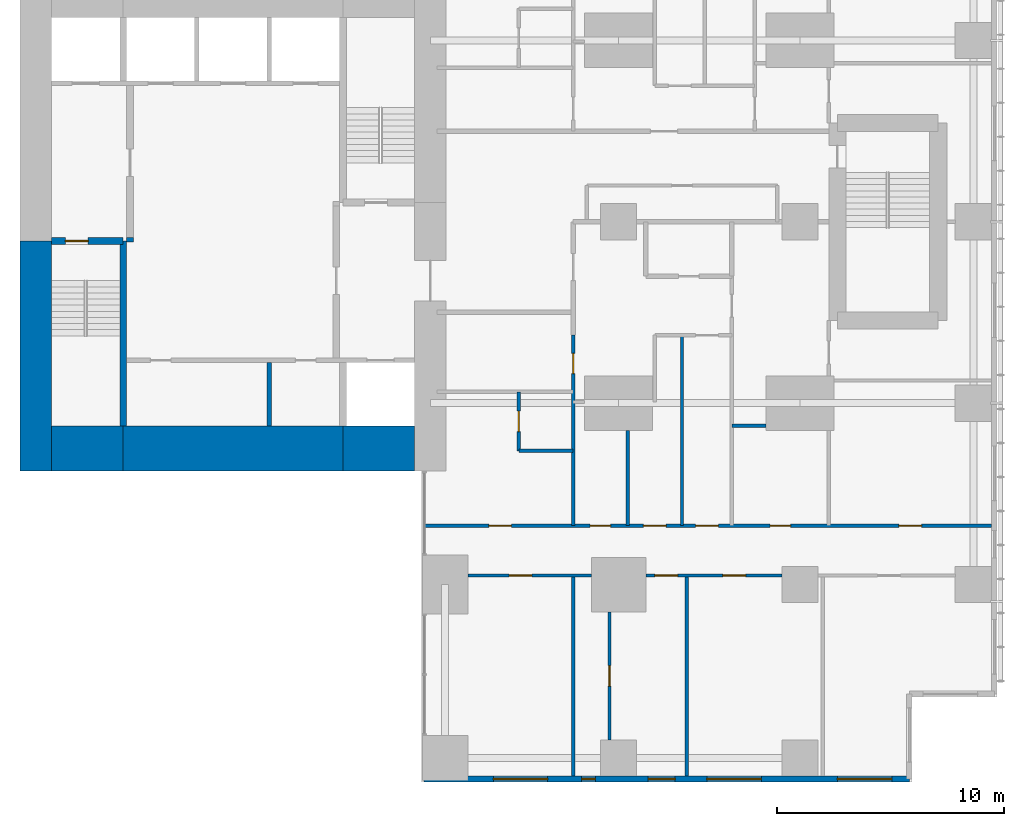
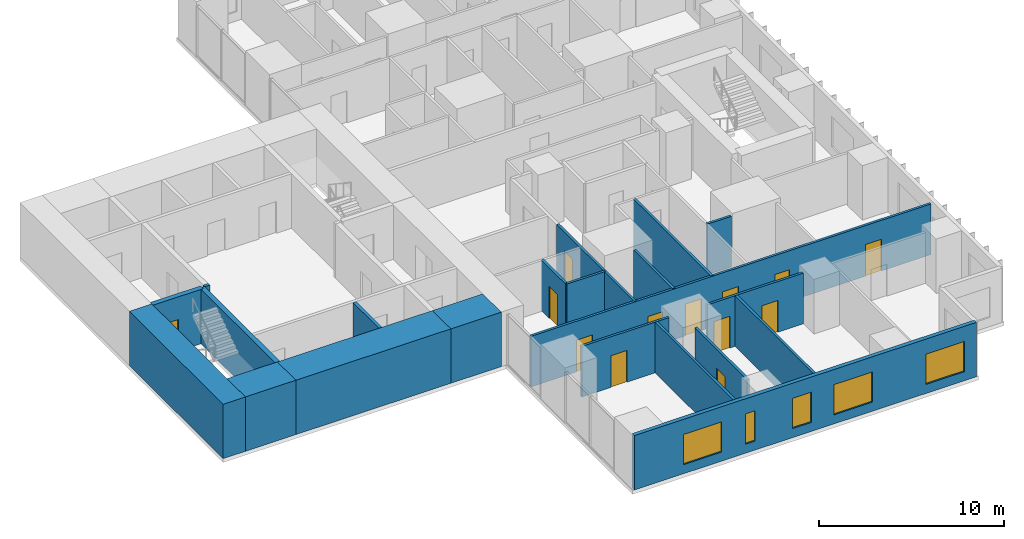
# One storey, part 7 of 12: 21 walls, 13 doors, 5 windows, 18 openings.
"""IFC4 building model written with IfcOpenShell, lengths in metres."""

import ifcopenshell
import ifcopenshell.guid

model = None  # the IFC model being written
_history = None  # IfcOwnerHistory: only IFC2X3 demands one
_inside = {}  # id of a spatial element -> (the spatial element, [elements in it])
_under = {}  # id of a project, library or spatial element -> (it, [spatial elements below it])
_declared = {}  # id of a project -> (the project, [libraries it declares])
_typed = {}  # id of a type object -> (the type object, [elements of that type])
_made_of = {}  # id of a material, layer set ... -> (it, [elements and type objects made of it])


def new_model(schema):
    """Start an empty IFC model of exactly this schema.

    Asked for "IFC4X3", IfcOpenShell would pick the latest addendum, in which some entities
    have other attributes; the version numbers below select the first issue.
    IFC2X3 requires an IfcOwnerHistory on every rooted entity: one is made here for all.
    """
    global model, _history
    if schema == "IFC4X3":
        model = ifcopenshell.file(schema_version=(4, 3, 0, 0))
    else:
        model = ifcopenshell.file(schema=schema)
    _inside.clear()
    _under.clear()
    _declared.clear()
    _typed.clear()
    _made_of.clear()
    _history = None
    if model.schema == "IFC2X3":
        org = make("IfcOrganization", Name="unknown")
        user = make(
            "IfcPersonAndOrganization",
            ThePerson=make("IfcPerson", FamilyName="unknown"),
            TheOrganization=org,
        )
        app = make(
            "IfcApplication",
            ApplicationDeveloper=org,
            Version="unknown",
            ApplicationFullName="unknown",
            ApplicationIdentifier="unknown",
        )
        _history = make(
            "IfcOwnerHistory",
            OwningUser=user,
            OwningApplication=app,
            ChangeAction="ADDED",
            CreationDate=0,
        )
    return model


def make(cls, **values):
    """One entity of the class cls with the attributes given. An attribute that is None is left unset."""
    return model.create_entity(
        cls, **{name: value for name, value in values.items() if value is not None}
    )


def rooted(cls, **values):
    """An entity with a GlobalId (a new one), such as an element, a storey or a relation."""
    return make(cls, GlobalId=ifcopenshell.guid.new(), OwnerHistory=_history, **values)


def si_unit(unit_type, name, prefix=None):
    """IfcSIUnit, for example si_unit("LENGTHUNIT", "METRE", prefix="MILLI")."""
    return make("IfcSIUnit", UnitType=unit_type, Prefix=prefix, Name=name)


def assignment(units):
    """IfcUnitAssignment: the units of a project."""
    return None if units is None else make("IfcUnitAssignment", Units=units)


def point(xyz):
    """IfcCartesianPoint."""
    return None if xyz is None else make("IfcCartesianPoint", Coordinates=xyz)


def direction(xyz):
    """IfcDirection."""
    return None if xyz is None else make("IfcDirection", DirectionRatios=xyz)


def frame(location, z_axis=None, x_axis=None):
    """IfcAxis2Placement3D, a coordinate frame: its origin and axes. An axis left out is left unset."""
    return make(
        "IfcAxis2Placement3D",
        Location=point(location),
        Axis=direction(z_axis),
        RefDirection=direction(x_axis),
    )


def frame_2d(location, x_axis=None):
    """IfcAxis2Placement2D, a coordinate frame in the plane: its origin and x axis."""
    return make(
        "IfcAxis2Placement2D", Location=point(location), RefDirection=direction(x_axis)
    )


def origin():
    """The frame at (0, 0, 0) with its axes left unset."""
    return frame((0.0, 0.0, 0.0))


def place(relative_to, where):
    """IfcLocalPlacement: puts the frame where relative to a parent placement (None: the world)."""
    return make(
        "IfcLocalPlacement", PlacementRelTo=relative_to, RelativePlacement=where
    )


def context(
    kind, dimensions, precision=None, world=None, true_north=None, identifier=None
):
    """IfcGeometricRepresentationContext, for example the 3D "Model" context."""
    return make(
        "IfcGeometricRepresentationContext",
        ContextIdentifier=identifier,
        ContextType=kind,
        CoordinateSpaceDimension=dimensions,
        Precision=precision,
        WorldCoordinateSystem=world,
        TrueNorth=true_north,
    )


def subcontext(parent, identifier, kind, view, scale=None):
    """IfcGeometricRepresentationSubContext, for example "Body" below "Model"."""
    return make(
        "IfcGeometricRepresentationSubContext",
        ContextIdentifier=identifier,
        ContextType=kind,
        ParentContext=parent,
        TargetScale=scale,
        TargetView=view,
    )


def project(units=None, contexts=None):
    """IfcProject with its units and contexts."""
    return rooted(
        "IfcProject",
        Name="project",
        RepresentationContexts=contexts,
        UnitsInContext=assignment(units),
    )


def spatial(cls, under=None, at=None, **own):
    """A site, building, storey or space (cls), placed at a placement, below another one or the project."""
    s = rooted(cls, ObjectPlacement=at, **own)
    if under is not None:
        _under.setdefault(under.id(), (under, []))[1].append(s)
    return s


def profile(cls, at=None, kind="AREA", **sizes):
    """A parametric profile (cls). Its sizes go by their IFC names, for example OverallWidth=200.0."""
    return make(cls, ProfileType=kind, Position=at, **sizes)


def rectangle(**sizes):
    """IfcRectangleProfileDef."""
    return profile("IfcRectangleProfileDef", **sizes)


def extrude(swept, where, along, depth):
    """IfcExtrudedAreaSolid: the profile swept, set in the frame where, extruded along a direction by depth."""
    return make(
        "IfcExtrudedAreaSolid",
        SweptArea=swept,
        Position=where,
        ExtrudedDirection=direction(along),
        Depth=depth,
    )


def shape(context_of_items, identifier, shape_type, items):
    """IfcShapeRepresentation: the items that make up one representation, for example the "Body"."""
    return make(
        "IfcShapeRepresentation",
        ContextOfItems=context_of_items,
        RepresentationIdentifier=identifier,
        RepresentationType=shape_type,
        Items=items,
    )


def material(Name=None, Category=None):
    """IfcMaterial."""
    return make("IfcMaterial", Name=Name, Category=Category)


def layer(
    of_material, thickness, ventilated=None, Name=None, Category=None, Priority=None
):
    """IfcMaterialLayer: one layer of a wall or slab, of a material (None: an air gap)."""
    return make(
        "IfcMaterialLayer",
        Material=of_material,
        LayerThickness=thickness,
        IsVentilated=ventilated,
        Name=Name,
        Category=Category,
        Priority=Priority,
    )


def layer_set(layers, Name=None):
    """IfcMaterialLayerSet."""
    return make("IfcMaterialLayerSet", MaterialLayers=layers, LayerSetName=Name)


def made_of(thing, what):
    """Note that an element or type object is made of a material, layer set ...; save() writes the relation."""
    if what is not None:
        _made_of.setdefault(what.id(), (what, []))[1].append(thing)
    return thing


def type_object(cls, material=None, **own):
    """A type object (cls), such as IfcWallType, which elements share."""
    return made_of(rooted(cls, **own), material)


def element(
    cls,
    number,
    at=None,
    inside=None,
    cuts=None,
    type_object=None,
    material=None,
    context=None,
    identifier="Body",
    shape_type=None,
    held_by="IfcProductDefinitionShape",
    body=None,
    shapes=None,
    **own,
):
    """One element of the class cls, such as IfcWall. Its Tag is "e" and its number.

    at: its placement. inside: the storey or other place that contains it. cuts: it is an
    opening in that element (IfcRelVoidsElement). A single representation is given by context,
    identifier, shape_type and body (its items); several are given by shapes. held_by: the class
    of the entity that holds the representations. save() writes the other relations.
    """
    e = rooted(cls, Tag="e%d" % number, ObjectPlacement=at, **own)
    if body is not None:
        shapes = [shape(context, identifier, shape_type, body)]
    if shapes is not None:
        e.Representation = make(held_by, Representations=shapes)
    if inside is not None:
        _inside.setdefault(inside.id(), (inside, []))[1].append(e)
    if cuts is not None:
        rooted(
            "IfcRelVoidsElement", RelatingBuildingElement=cuts, RelatedOpeningElement=e
        )
    if type_object is not None:
        _typed.setdefault(type_object.id(), (type_object, []))[1].append(e)
    return made_of(e, material)


def fill(opening, filler):
    """IfcRelFillsElement: the door or window that sits in an opening."""
    return rooted(
        "IfcRelFillsElement",
        RelatingOpeningElement=opening,
        RelatedBuildingElement=filler,
    )


def aggregate(whole, parts):
    """IfcRelAggregates: a whole, such as a stair, and the parts it consists of."""
    return rooted("IfcRelAggregates", RelatingObject=whole, RelatedObjects=parts)


def save(model, path):
    """Write the relations noted so far, then the file.

    IfcRelAggregates (storeys below a building ...), IfcRelContainedInSpatialStructure (elements
    in a storey), IfcRelDefinesByType, IfcRelAssociatesMaterial and IfcRelDeclares: one each for
    every whole, place, type object, material and project.
    """
    for whole, parts in _under.values():
        aggregate(whole, parts)
    for where, things in _inside.values():
        rooted(
            "IfcRelContainedInSpatialStructure",
            RelatedElements=things,
            RelatingStructure=where,
        )
    for kind, things in _typed.values():
        rooted("IfcRelDefinesByType", RelatedObjects=things, RelatingType=kind)
    for what, things in _made_of.values():
        rooted("IfcRelAssociatesMaterial", RelatedObjects=things, RelatingMaterial=what)
    for by, libraries in _declared.values():
        rooted("IfcRelDeclares", RelatingContext=by, RelatedDefinitions=libraries)
    model.write(path)


model = new_model("IFC4")

# Units and contexts
model_context = context("Model", 3, precision=1e-05, world=origin(), true_north=direction((0.0, 1.0)))
body_context = subcontext(model_context, "Body", "Model", "MODEL_VIEW")
ifc_project = project(units=[si_unit("LENGTHUNIT", "METRE"), si_unit("AREAUNIT", "SQUARE_METRE"), si_unit("VOLUMEUNIT", "CUBIC_METRE"), si_unit("PLANEANGLEUNIT", "RADIAN"), si_unit("MASSUNIT", "GRAM", prefix="KILO")], contexts=[model_context])

# Site, building, storey
site_placement = place(None, origin())
site = spatial("IfcSite", under=ifc_project, at=site_placement, CompositionType="ELEMENT")
building_placement = place(site_placement, origin())
building = spatial("IfcBuilding", under=site, at=building_placement, Name="Cleftline Residences", CompositionType="ELEMENT")
storey_placement = place(building_placement, frame((0.0, 0.0, 241.199951171875)))
storey = spatial("IfcBuildingStorey", under=building, at=storey_placement, Name="L63", CompositionType="ELEMENT", Elevation=241.199951171875)

# Walls
ifc_material_1 = material(Name="Concrete B70", Category="concrete")
ifc_layer_1 = layer(ifc_material_1, 1.39990234375)
ifc_layer_set_1 = layer_set([ifc_layer_1], Name="CORE WALL 1400")
wall_type_1 = type_object("IfcWallType", Name="CORE WALL 1400", PredefinedType="SHEAR", material=ifc_layer_set_1)
wall_1_placement = place(storey_placement, frame((24.300048828125, 13.0, 0.0), z_axis=(0.0, 0.0, 1.0), x_axis=(0.0, 1.0, 0.0)))
element("IfcWall", 1, at=wall_1_placement, inside=storey, type_object=wall_type_1, Name="Core wall W0", PredefinedType="SHEAR", context=body_context, shape_type="SweptSolid", body=[
    extrude(rectangle(XDim=10.14990234375, YDim=1.39990234375, at=frame_2d((5.074951171875, 0.0))), origin(), (0.0, 0.0, 1.0), 3.60009765625),
])
ifc_material_2 = material(Name="Concrete B70", Category="concrete")
ifc_layer_2 = layer(ifc_material_2, 2.0)
ifc_layer_set_2 = layer_set([ifc_layer_2], Name="CORE WALL 2000")
wall_type_2 = type_object("IfcWallType", Name="CORE WALL 2000", PredefinedType="SHEAR", material=ifc_layer_set_2)
wall_2_placement = place(storey_placement, frame((25.0, 14.0, 0.0), z_axis=(0.0, 0.0, 1.0), x_axis=(1.0, 0.0, 0.0)))
element("IfcWall", 2, at=wall_2_placement, inside=storey, type_object=wall_type_2, Name="Core wall S1", PredefinedType="SHEAR", context=body_context, shape_type="SweptSolid", body=[
    extrude(rectangle(XDim=3.14990234375, YDim=2.0, at=frame_2d((1.574951171875, 0.0))), origin(), (0.0, 0.0, 1.0), 3.60009765625),
])
wall_3_placement = place(storey_placement, frame((28.14990234375, 14.0, 0.0), z_axis=(0.0, 0.0, 1.0), x_axis=(1.0, 0.0, 0.0)))
element("IfcWall", 3, at=wall_3_placement, inside=storey, type_object=wall_type_2, Name="Core wall S2", PredefinedType="SHEAR", context=body_context, shape_type="SweptSolid", body=[
    extrude(rectangle(XDim=9.7001953125, YDim=2.0, at=frame_2d((4.85009765625, 0.0))), origin(), (0.0, 0.0, 1.0), 3.60009765625),
])
wall_4_placement = place(storey_placement, frame((37.85009765625, 14.0, 0.0), z_axis=(0.0, 0.0, 1.0), x_axis=(1.0, 0.0, 0.0)))
element("IfcWall", 4, at=wall_4_placement, inside=storey, type_object=wall_type_2, Name="Core wall S3", PredefinedType="SHEAR", context=body_context, shape_type="SweptSolid", body=[
    extrude(rectangle(XDim=3.14990234375, YDim=2.0, at=frame_2d((1.574951171875, 0.0))), origin(), (0.0, 0.0, 1.0), 3.60009765625),
])
ifc_material_3 = material(Name="Concrete B70", Category="concrete")
ifc_layer_3 = layer(ifc_material_3, 0.300048828125)
ifc_layer_set_3 = layer_set([ifc_layer_3], Name="CORE WALL 300")
wall_type_3 = type_object("IfcWallType", Name="CORE WALL 300", PredefinedType="SHEAR", material=ifc_layer_set_3)
wall_5_placement = place(storey_placement, frame((28.14990234375, 15.0, 0.0), z_axis=(0.0, 0.0, 1.0), x_axis=(0.0, 1.0, 0.0)))
element("IfcWall", 5, at=wall_5_placement, inside=storey, type_object=wall_type_3, Name="Core wall SA-E", PredefinedType="SHEAR", context=body_context, shape_type="SweptSolid", body=[
    extrude(rectangle(XDim=8.14990234375, YDim=0.300048828125, at=frame_2d((4.074951171875, 0.0))), origin(), (0.0, 0.0, 1.0), 3.60009765625),
])

# Wall, opening, door
wall_6_placement = place(storey_placement, frame((25.0, 23.14990234375, 0.0), z_axis=(0.0, 0.0, 1.0), x_axis=(1.0, 0.0, 0.0)))
wall_6 = element("IfcWall", 6, at=wall_6_placement, inside=storey, type_object=wall_type_3, Name="Core wall SA-N", PredefinedType="SHEAR", context=body_context, shape_type="SweptSolid", body=[
    extrude(rectangle(XDim=3.14990234375, YDim=0.300048828125, at=frame_2d((1.574951171875, 0.0))), origin(), (0.0, 0.0, 1.0), 3.60009765625),
])
opening_1_placement = place(wall_6_placement, frame((0.60009765625, 0.0, 0.0)))
opening_1 = element("IfcOpeningElement", 7, at=opening_1_placement, cuts=wall_6, Name="Opening D5", PredefinedType="OPENING", context=body_context, shape_type="SweptSolid", body=[
    extrude(rectangle(XDim=1.0, YDim=2.10009765625, at=frame_2d((0.5, 1.050048828125))), frame((0.0, 0.159912109375, 0.0), z_axis=(0.0, -1.0, 0.0), x_axis=(1.0, 0.0, 0.0)), (0.0, 0.0, 1.0), 0.320068359375),
])
ifc_material_4 = material(Name="Steel", Category="steel")
door_type_1 = type_object("IfcDoorType", Name="STAIR DOOR 1000X2100", OperationType="SINGLE_SWING_LEFT", PredefinedType="DOOR", material=ifc_material_4)
door_1_placement = place(opening_1_placement, origin())
door_1 = element("IfcDoor", 8, at=door_1_placement, inside=storey, type_object=door_type_1, Name="Stair A door", OperationType="SINGLE_SWING_RIGHT", OverallHeight=2.10009765625, OverallWidth=1.0, PredefinedType="DOOR", context=body_context, shape_type="SweptSolid", body=[
    extrude(rectangle(XDim=1.0, YDim=2.10009765625, at=frame_2d((0.5, 1.050048828125))), frame((0.0, 0.02490234375, 0.0), z_axis=(0.0, -1.0, 0.0), x_axis=(1.0, 0.0, 0.0)), (0.0, 0.0, 1.0), 0.050048828125),
])
fill(opening_1, door_1)

# Wall, openings, windows
ifc_material_5 = material(Name="Rendered reinforced concrete blockwork", Category="masonry")
ifc_layer_4 = layer(ifc_material_5, 0.25)
ifc_layer_set_4 = layer_set([ifc_layer_4], Name="EXTERNAL WALL 250")
wall_type_4 = type_object("IfcWallType", Name="EXTERNAL WALL 250", PredefinedType="SOLIDWALL", material=ifc_layer_set_4)
wall_7_placement = place(storey_placement, frame((41.425048828125, -0.574951171875, 0.0), z_axis=(0.0, 0.0, 1.0), x_axis=(1.0, 0.0, 0.0)))
wall_7 = element("IfcWall", 9, at=wall_7_placement, inside=storey, type_object=wall_type_4, Name="External wall", PredefinedType="SOLIDWALL", context=body_context, shape_type="SweptSolid", body=[
    extrude(rectangle(XDim=21.39990234375, YDim=0.25, at=frame_2d((10.699951171875, 0.0))), origin(), (0.0, 0.0, 1.0), 3.60009765625),
])
opening_2_placement = place(wall_7_placement, frame((3.050048828125, 0.0, 0.60009765625)))
opening_2 = element("IfcOpeningElement", 10, at=opening_2_placement, cuts=wall_7, Name="Opening W6", PredefinedType="OPENING", context=body_context, shape_type="SweptSolid", body=[
    extrude(rectangle(XDim=2.39990234375, YDim=2.0, at=frame_2d((1.199951171875, 1.0))), frame((0.0, 0.135009765625, 0.0), z_axis=(0.0, -1.0, 0.0), x_axis=(1.0, 0.0, 0.0)), (0.0, 0.0, 1.0), 0.27001953125),
])
opening_3_placement = place(wall_7_placement, frame((6.949951171875, 0.0, 0.60009765625)))
opening_3 = element("IfcOpeningElement", 11, at=opening_3_placement, cuts=wall_7, Name="Opening W7", PredefinedType="OPENING", context=body_context, shape_type="SweptSolid", body=[
    extrude(rectangle(XDim=0.60009765625, YDim=2.0, at=frame_2d((0.300048828125, 1.0))), frame((0.0, 0.135009765625, 0.0), z_axis=(0.0, -1.0, 0.0), x_axis=(1.0, 0.0, 0.0)), (0.0, 0.0, 1.0), 0.27001953125),
])
opening_4_placement = place(wall_7_placement, frame((9.875, 0.0, 0.60009765625)))
opening_4 = element("IfcOpeningElement", 12, at=opening_4_placement, cuts=wall_7, Name="Opening W8", PredefinedType="OPENING", context=body_context, shape_type="SweptSolid", body=[
    extrude(rectangle(XDim=1.199951171875, YDim=2.0, at=frame_2d((0.60009765625, 1.0))), frame((0.0, 0.135009765625, 0.0), z_axis=(0.0, -1.0, 0.0), x_axis=(1.0, 0.0, 0.0)), (0.0, 0.0, 1.0), 0.27001953125),
])
opening_5_placement = place(wall_7_placement, frame((12.47509765625, 0.0, 0.60009765625)))
opening_5 = element("IfcOpeningElement", 13, at=opening_5_placement, cuts=wall_7, Name="Opening W6", PredefinedType="OPENING", context=body_context, shape_type="SweptSolid", body=[
    extrude(rectangle(XDim=2.39990234375, YDim=2.0, at=frame_2d((1.199951171875, 1.0))), frame((0.0, 0.135009765625, 0.0), z_axis=(0.0, -1.0, 0.0), x_axis=(1.0, 0.0, 0.0)), (0.0, 0.0, 1.0), 0.27001953125),
])
opening_6_placement = place(wall_7_placement, frame((18.22509765625, 0.0, 0.60009765625)))
opening_6 = element("IfcOpeningElement", 14, at=opening_6_placement, cuts=wall_7, Name="Opening W6", PredefinedType="OPENING", context=body_context, shape_type="SweptSolid", body=[
    extrude(rectangle(XDim=2.39990234375, YDim=2.0, at=frame_2d((1.199951171875, 1.0))), frame((0.0, 0.135009765625, 0.0), z_axis=(0.0, -1.0, 0.0), x_axis=(1.0, 0.0, 0.0)), (0.0, 0.0, 1.0), 0.27001953125),
])
ifc_material_6 = material(Name="Aluminium frame, clear double glazing", Category="aluminium")
window_type_1 = type_object("IfcWindowType", Name="WINDOW 1200X2000", PartitioningType="DOUBLE_PANEL_VERTICAL", PredefinedType="WINDOW", material=ifc_material_6)
window_1_placement = place(opening_4_placement, origin())
window_1 = element("IfcWindow", 15, at=window_1_placement, inside=storey, type_object=window_type_1, Name="Window", OverallHeight=2.0, OverallWidth=1.199951171875, PartitioningType="SINGLE_PANEL", PredefinedType="WINDOW", context=body_context, shape_type="SweptSolid", body=[
    extrude(rectangle(XDim=1.199951171875, YDim=2.0, at=frame_2d((0.60009765625, 1.0))), frame((0.0, 0.030029296875, 0.0), z_axis=(0.0, -1.0, 0.0), x_axis=(1.0, 0.0, 0.0)), (0.0, 0.0, 1.0), 0.06005859375),
])
fill(opening_4, window_1)
ifc_material_7 = material(Name="Aluminium frame, clear double glazing", Category="aluminium")
window_type_2 = type_object("IfcWindowType", Name="WINDOW 2400X2000", PartitioningType="DOUBLE_PANEL_VERTICAL", PredefinedType="WINDOW", material=ifc_material_7)
window_2_placement = place(opening_2_placement, origin())
window_2 = element("IfcWindow", 16, at=window_2_placement, inside=storey, type_object=window_type_2, Name="Window", OverallHeight=2.0, OverallWidth=2.39990234375, PartitioningType="SINGLE_PANEL", PredefinedType="WINDOW", context=body_context, shape_type="SweptSolid", body=[
    extrude(rectangle(XDim=2.39990234375, YDim=2.0, at=frame_2d((1.199951171875, 1.0))), frame((0.0, 0.030029296875, 0.0), z_axis=(0.0, -1.0, 0.0), x_axis=(1.0, 0.0, 0.0)), (0.0, 0.0, 1.0), 0.06005859375),
])
fill(opening_2, window_2)
window_3_placement = place(opening_5_placement, origin())
window_3 = element("IfcWindow", 17, at=window_3_placement, inside=storey, type_object=window_type_2, Name="Window", OverallHeight=2.0, OverallWidth=2.39990234375, PartitioningType="SINGLE_PANEL", PredefinedType="WINDOW", context=body_context, shape_type="SweptSolid", body=[
    extrude(rectangle(XDim=2.39990234375, YDim=2.0, at=frame_2d((1.199951171875, 1.0))), frame((0.0, 0.030029296875, 0.0), z_axis=(0.0, -1.0, 0.0), x_axis=(1.0, 0.0, 0.0)), (0.0, 0.0, 1.0), 0.06005859375),
])
fill(opening_5, window_3)
window_4_placement = place(opening_6_placement, origin())
window_4 = element("IfcWindow", 18, at=window_4_placement, inside=storey, type_object=window_type_2, Name="Window", OverallHeight=2.0, OverallWidth=2.39990234375, PartitioningType="SINGLE_PANEL", PredefinedType="WINDOW", context=body_context, shape_type="SweptSolid", body=[
    extrude(rectangle(XDim=2.39990234375, YDim=2.0, at=frame_2d((1.199951171875, 1.0))), frame((0.0, 0.030029296875, 0.0), z_axis=(0.0, -1.0, 0.0), x_axis=(1.0, 0.0, 0.0)), (0.0, 0.0, 1.0), 0.06005859375),
])
fill(opening_6, window_4)
ifc_material_8 = material(Name="Aluminium frame, clear double glazing", Category="aluminium")
window_type_3 = type_object("IfcWindowType", Name="WINDOW 600X2000", PartitioningType="DOUBLE_PANEL_VERTICAL", PredefinedType="WINDOW", material=ifc_material_8)
window_5_placement = place(opening_3_placement, origin())
window_5 = element("IfcWindow", 19, at=window_5_placement, inside=storey, type_object=window_type_3, Name="Window", OverallHeight=2.0, OverallWidth=0.60009765625, PartitioningType="SINGLE_PANEL", PredefinedType="WINDOW", context=body_context, shape_type="SweptSolid", body=[
    extrude(rectangle(XDim=0.60009765625, YDim=2.0, at=frame_2d((0.300048828125, 1.0))), frame((0.0, 0.030029296875, 0.0), z_axis=(0.0, -1.0, 0.0), x_axis=(1.0, 0.0, 0.0)), (0.0, 0.0, 1.0), 0.06005859375),
])
fill(opening_3, window_5)

# Wall
ifc_material_9 = material(Name="Concrete blockwork, fire rated", Category="masonry")
ifc_layer_5 = layer(ifc_material_9, 0.199951171875)
ifc_layer_set_5 = layer_set([ifc_layer_5], Name="FIRE WALL 200")
wall_type_5 = type_object("IfcWallType", Name="FIRE WALL 200", PredefinedType="PARTITIONING", material=ifc_layer_set_5)
wall_8_placement = place(storey_placement, frame((28.300048828125, 23.199951171875, 0.0), z_axis=(0.0, 0.0, 1.0), x_axis=(1.0, 0.0, 0.0)))
element("IfcWall", 20, at=wall_8_placement, inside=storey, type_object=wall_type_5, Name="Fire separating wall", PredefinedType="PARTITIONING", context=body_context, shape_type="SweptSolid", body=[
    extrude(rectangle(XDim=0.300048828125, YDim=0.199951171875, at=frame_2d((0.14990234375, 0.0))), origin(), (0.0, 0.0, 1.0), 3.60009765625),
])

# Wall, opening, door
ifc_material_10 = material(Name="Gypsum board on steel studs", Category="steel")
ifc_layer_6 = layer(ifc_material_10, 0.14990234375)
ifc_layer_set_6 = layer_set([ifc_layer_6], Name="PARTITION 150")
wall_type_6 = type_object("IfcWallType", Name="PARTITION 150", PredefinedType="PARTITIONING", material=ifc_layer_set_6)
wall_9_placement = place(storey_placement, frame((43.35009765625, 8.39990234375, 0.0), z_axis=(0.0, 0.0, 1.0), x_axis=(1.0, 0.0, 0.0)))
wall_9 = element("IfcWall", 21, at=wall_9_placement, inside=storey, type_object=wall_type_6, Name="Partition", PredefinedType="PARTITIONING", context=body_context, shape_type="SweptSolid", body=[
    extrude(rectangle(XDim=5.449951171875, YDim=0.14990234375, at=frame_2d((2.72509765625, 0.0))), origin(), (0.0, 0.0, 1.0), 3.35009765625),
])
opening_7_placement = place(wall_9_placement, frame((1.824951171875, 0.0, 0.0)))
opening_7 = element("IfcOpeningElement", 22, at=opening_7_placement, cuts=wall_9, Name="Opening D2", PredefinedType="OPENING", context=body_context, shape_type="SweptSolid", body=[
    extrude(rectangle(XDim=1.0, YDim=2.10009765625, at=frame_2d((0.5, 1.050048828125))), frame((0.0, 0.0849609375, 0.0), z_axis=(0.0, -1.0, 0.0), x_axis=(1.0, 0.0, 0.0)), (0.0, 0.0, 1.0), 0.169921875),
])
ifc_material_11 = material(Name="Timber veneer on solid core", Category="wood")
door_type_2 = type_object("IfcDoorType", Name="DOOR 1000X2100", OperationType="SINGLE_SWING_LEFT", PredefinedType="DOOR", material=ifc_material_11)
door_2_placement = place(opening_7_placement, origin())
door_2 = element("IfcDoor", 23, at=door_2_placement, inside=storey, type_object=door_type_2, Name="Door to breakfast room", OperationType="SINGLE_SWING_RIGHT", OverallHeight=2.10009765625, OverallWidth=1.0, PredefinedType="DOOR", context=body_context, shape_type="SweptSolid", body=[
    extrude(rectangle(XDim=1.0, YDim=2.10009765625, at=frame_2d((0.5, 1.050048828125))), frame((0.0, 0.02490234375, 0.0), z_axis=(0.0, -1.0, 0.0), x_axis=(1.0, 0.0, 0.0)), (0.0, 0.0, 1.0), 0.050048828125),
])
fill(opening_7, door_2)

# Wall, openings, doors
wall_10_placement = place(storey_placement, frame((51.199951171875, 8.39990234375, 0.0), z_axis=(0.0, 0.0, 1.0), x_axis=(1.0, 0.0, 0.0)))
wall_10 = element("IfcWall", 24, at=wall_10_placement, inside=storey, type_object=wall_type_6, Name="Partition", PredefinedType="PARTITIONING", context=body_context, shape_type="SweptSolid", body=[
    extrude(rectangle(XDim=6.0, YDim=0.14990234375, at=frame_2d((3.0, 0.0))), origin(), (0.0, 0.0, 1.0), 3.35009765625),
])
opening_8_placement = place(wall_10_placement, frame((3.39990234375, 0.0, 0.0)))
opening_8 = element("IfcOpeningElement", 25, at=opening_8_placement, cuts=wall_10, Name="Opening D2", PredefinedType="OPENING", context=body_context, shape_type="SweptSolid", body=[
    extrude(rectangle(XDim=1.0, YDim=2.10009765625, at=frame_2d((0.5, 1.050048828125))), frame((0.0, 0.0849609375, 0.0), z_axis=(0.0, -1.0, 0.0), x_axis=(1.0, 0.0, 0.0)), (0.0, 0.0, 1.0), 0.169921875),
])
opening_9_placement = place(wall_10_placement, frame((0.39990234375, 0.0, 0.0)))
opening_9 = element("IfcOpeningElement", 26, at=opening_9_placement, cuts=wall_10, Name="Opening D2", PredefinedType="OPENING", context=body_context, shape_type="SweptSolid", body=[
    extrude(rectangle(XDim=1.0, YDim=2.10009765625, at=frame_2d((0.5, 1.050048828125))), frame((0.0, 0.0849609375, 0.0), z_axis=(0.0, -1.0, 0.0), x_axis=(1.0, 0.0, 0.0)), (0.0, 0.0, 1.0), 0.169921875),
])
door_3_placement = place(opening_8_placement, origin())
door_3 = element("IfcDoor", 27, at=door_3_placement, inside=storey, type_object=door_type_2, Name="Door to dining room", OperationType="SINGLE_SWING_LEFT", OverallHeight=2.10009765625, OverallWidth=1.0, PredefinedType="DOOR", context=body_context, shape_type="SweptSolid", body=[
    extrude(rectangle(XDim=1.0, YDim=2.10009765625, at=frame_2d((0.5, 1.050048828125))), frame((0.0, 0.02490234375, 0.0), z_axis=(0.0, -1.0, 0.0), x_axis=(1.0, 0.0, 0.0)), (0.0, 0.0, 1.0), 0.050048828125),
])
fill(opening_8, door_3)
door_4_placement = place(opening_9_placement, origin())
door_4 = element("IfcDoor", 28, at=door_4_placement, inside=storey, type_object=door_type_2, Name="Door to show kitchen", OperationType="SINGLE_SWING_RIGHT", OverallHeight=2.10009765625, OverallWidth=1.0, PredefinedType="DOOR", context=body_context, shape_type="SweptSolid", body=[
    extrude(rectangle(XDim=1.0, YDim=2.10009765625, at=frame_2d((0.5, 1.050048828125))), frame((0.0, 0.02490234375, 0.0), z_axis=(0.0, -1.0, 0.0), x_axis=(1.0, 0.0, 0.0)), (0.0, 0.0, 1.0), 0.050048828125),
])
fill(opening_9, door_4)

wall_11_placement = place(storey_placement, frame((41.43896484375, 10.60009765625, 0.0), z_axis=(0.0, 0.0, 1.0), x_axis=(1.0, 0.0, 0.0)))
wall_11 = element("IfcWall", 29, at=wall_11_placement, inside=storey, type_object=wall_type_6, Name="Partition", PredefinedType="PARTITIONING", context=body_context, shape_type="SweptSolid", body=[
    extrude(rectangle(XDim=25.010986328125, YDim=0.14990234375, at=frame_2d((12.50537109375, 0.0))), origin(), (0.0, 0.0, 1.0), 3.35009765625),
])
opening_10_placement = place(wall_11_placement, frame((11.9609375, 0.0, 0.0)))
opening_10 = element("IfcOpeningElement", 30, at=opening_10_placement, cuts=wall_11, Name="Opening D2", PredefinedType="OPENING", context=body_context, shape_type="SweptSolid", body=[
    extrude(rectangle(XDim=1.0, YDim=2.10009765625, at=frame_2d((0.5, 1.050048828125))), frame((0.0, 0.0849609375, 0.0), z_axis=(0.0, -1.0, 0.0), x_axis=(1.0, 0.0, 0.0)), (0.0, 0.0, 1.0), 0.169921875),
])
opening_11_placement = place(wall_11_placement, frame((20.923583984375, 0.0, 0.0)))
opening_11 = element("IfcOpeningElement", 31, at=opening_11_placement, cuts=wall_11, Name="Opening D2", PredefinedType="OPENING", context=body_context, shape_type="SweptSolid", body=[
    extrude(rectangle(XDim=1.0, YDim=2.10009765625, at=frame_2d((0.5, 1.050048828125))), frame((0.0, 0.0849609375, 0.0), z_axis=(0.0, -1.0, 0.0), x_axis=(1.0, 0.0, 0.0)), (0.0, 0.0, 1.0), 0.169921875),
])
opening_12_placement = place(wall_11_placement, frame((15.24853515625, 0.0, 0.0)))
opening_12 = element("IfcOpeningElement", 32, at=opening_12_placement, cuts=wall_11, Name="Opening D1", PredefinedType="OPENING", context=body_context, shape_type="SweptSolid", body=[
    extrude(rectangle(XDim=0.89990234375, YDim=2.10009765625, at=frame_2d((0.449951171875, 1.050048828125))), frame((0.0, 0.0849609375, 0.0), z_axis=(0.0, -1.0, 0.0), x_axis=(1.0, 0.0, 0.0)), (0.0, 0.0, 1.0), 0.169921875),
])
opening_13_placement = place(wall_11_placement, frame((9.660888671875, 0.0, 0.0)))
opening_13 = element("IfcOpeningElement", 33, at=opening_13_placement, cuts=wall_11, Name="Opening D2", PredefinedType="OPENING", context=body_context, shape_type="SweptSolid", body=[
    extrude(rectangle(XDim=1.0, YDim=2.10009765625, at=frame_2d((0.5, 1.050048828125))), frame((0.0, 0.0849609375, 0.0), z_axis=(0.0, -1.0, 0.0), x_axis=(1.0, 0.0, 0.0)), (0.0, 0.0, 1.0), 0.169921875),
])
opening_14_placement = place(wall_11_placement, frame((7.31103515625, 0.0, 0.0)))
opening_14 = element("IfcOpeningElement", 34, at=opening_14_placement, cuts=wall_11, Name="Opening D1", PredefinedType="OPENING", context=body_context, shape_type="SweptSolid", body=[
    extrude(rectangle(XDim=0.89990234375, YDim=2.10009765625, at=frame_2d((0.449951171875, 1.050048828125))), frame((0.0, 0.0849609375, 0.0), z_axis=(0.0, -1.0, 0.0), x_axis=(1.0, 0.0, 0.0)), (0.0, 0.0, 1.0), 0.169921875),
])
opening_15_placement = place(wall_11_placement, frame((2.8359375, 0.0, 0.0)))
opening_15 = element("IfcOpeningElement", 35, at=opening_15_placement, cuts=wall_11, Name="Opening D2", PredefinedType="OPENING", context=body_context, shape_type="SweptSolid", body=[
    extrude(rectangle(XDim=1.0, YDim=2.10009765625, at=frame_2d((0.5, 1.050048828125))), frame((0.0, 0.0849609375, 0.0), z_axis=(0.0, -1.0, 0.0), x_axis=(1.0, 0.0, 0.0)), (0.0, 0.0, 1.0), 0.169921875),
])
door_5_placement = place(opening_10_placement, origin())
door_5 = element("IfcDoor", 36, at=door_5_placement, inside=storey, type_object=door_type_2, Name="Door to residence hall", OperationType="SINGLE_SWING_RIGHT", OverallHeight=2.10009765625, OverallWidth=1.0, PredefinedType="DOOR", context=body_context, shape_type="SweptSolid", body=[
    extrude(rectangle(XDim=1.0, YDim=2.10009765625, at=frame_2d((0.5, 1.050048828125))), frame((0.0, 0.02490234375, 0.0), z_axis=(0.0, -1.0, 0.0), x_axis=(1.0, 0.0, 0.0)), (0.0, 0.0, 1.0), 0.050048828125),
])
fill(opening_10, door_5)
door_6_placement = place(opening_11_placement, origin())
door_6 = element("IfcDoor", 37, at=door_6_placement, inside=storey, type_object=door_type_2, Name="Door to sea-view great room", OperationType="SINGLE_SWING_LEFT", OverallHeight=2.10009765625, OverallWidth=1.0, PredefinedType="DOOR", context=body_context, shape_type="SweptSolid", body=[
    extrude(rectangle(XDim=1.0, YDim=2.10009765625, at=frame_2d((0.5, 1.050048828125))), frame((0.0, 0.02490234375, 0.0), z_axis=(0.0, -1.0, 0.0), x_axis=(1.0, 0.0, 0.0)), (0.0, 0.0, 1.0), 0.050048828125),
])
fill(opening_11, door_6)
door_7_placement = place(opening_13_placement, origin())
door_7 = element("IfcDoor", 38, at=door_7_placement, inside=storey, type_object=door_type_2, Name="Door to wet kitchen", OperationType="SINGLE_SWING_RIGHT", OverallHeight=2.10009765625, OverallWidth=1.0, PredefinedType="DOOR", context=body_context, shape_type="SweptSolid", body=[
    extrude(rectangle(XDim=1.0, YDim=2.10009765625, at=frame_2d((0.5, 1.050048828125))), frame((0.0, 0.02490234375, 0.0), z_axis=(0.0, -1.0, 0.0), x_axis=(1.0, 0.0, 0.0)), (0.0, 0.0, 1.0), 0.050048828125),
])
fill(opening_13, door_7)
door_8_placement = place(opening_15_placement, origin())
door_8 = element("IfcDoor", 39, at=door_8_placement, inside=storey, type_object=door_type_2, Name="Door to staff bedroom", OperationType="SINGLE_SWING_RIGHT", OverallHeight=2.10009765625, OverallWidth=1.0, PredefinedType="DOOR", context=body_context, shape_type="SweptSolid", body=[
    extrude(rectangle(XDim=1.0, YDim=2.10009765625, at=frame_2d((0.5, 1.050048828125))), frame((0.0, 0.02490234375, 0.0), z_axis=(0.0, -1.0, 0.0), x_axis=(1.0, 0.0, 0.0)), (0.0, 0.0, 1.0), 0.050048828125),
])
fill(opening_15, door_8)
ifc_material_12 = material(Name="Timber veneer on solid core", Category="wood")
door_type_3 = type_object("IfcDoorType", Name="DOOR 900X2100", OperationType="SINGLE_SWING_LEFT", PredefinedType="DOOR", material=ifc_material_12)
door_9_placement = place(opening_12_placement, origin())
door_9 = element("IfcDoor", 40, at=door_9_placement, inside=storey, type_object=door_type_3, Name="Door to wine room", OperationType="SINGLE_SWING_LEFT", OverallHeight=2.10009765625, OverallWidth=0.89990234375, PredefinedType="DOOR", context=body_context, shape_type="SweptSolid", body=[
    extrude(rectangle(XDim=0.89990234375, YDim=2.10009765625, at=frame_2d((0.449951171875, 1.050048828125))), frame((0.0, 0.02490234375, 0.0), z_axis=(0.0, -1.0, 0.0), x_axis=(1.0, 0.0, 0.0)), (0.0, 0.0, 1.0), 0.050048828125),
])
fill(opening_12, door_9)
door_10_placement = place(opening_14_placement, origin())
door_10 = element("IfcDoor", 41, at=door_10_placement, inside=storey, type_object=door_type_3, Name="Door to pantry", OperationType="SINGLE_SWING_RIGHT", OverallHeight=2.10009765625, OverallWidth=0.89990234375, PredefinedType="DOOR", context=body_context, shape_type="SweptSolid", body=[
    extrude(rectangle(XDim=0.89990234375, YDim=2.10009765625, at=frame_2d((0.449951171875, 1.050048828125))), frame((0.0, 0.02490234375, 0.0), z_axis=(0.0, -1.0, 0.0), x_axis=(1.0, 0.0, 0.0)), (0.0, 0.0, 1.0), 0.050048828125),
])
fill(opening_14, door_10)

# Walls
wall_12_placement = place(storey_placement, frame((45.60009765625, 13.89990234375, 0.0), z_axis=(0.0, 0.0, 1.0), x_axis=(1.0, 0.0, 0.0)))
element("IfcWall", 42, at=wall_12_placement, inside=storey, type_object=wall_type_6, Name="Partition", PredefinedType="PARTITIONING", context=body_context, shape_type="SweptSolid", body=[
    extrude(rectangle(XDim=2.39990234375, YDim=0.14990234375, at=frame_2d((1.199951171875, 0.0))), origin(), (0.0, 0.0, 1.0), 3.35009765625),
])
wall_13_placement = place(storey_placement, frame((55.0, 15.0, 0.0), z_axis=(0.0, 0.0, 1.0), x_axis=(1.0, 0.0, 0.0)))
element("IfcWall", 43, at=wall_13_placement, inside=storey, type_object=wall_type_6, Name="Partition", PredefinedType="PARTITIONING", context=body_context, shape_type="SweptSolid", body=[
    extrude(rectangle(XDim=1.5, YDim=0.14990234375, at=frame_2d((0.75, 0.0))), origin(), (0.0, 0.0, 1.0), 3.35009765625),
])

# Wall, opening, door
wall_14_placement = place(storey_placement, frame((45.60009765625, 13.89990234375, 0.0), z_axis=(0.0, 0.0, 1.0), x_axis=(0.0, 1.0, 0.0)))
wall_14 = element("IfcWall", 44, at=wall_14_placement, inside=storey, type_object=wall_type_6, Name="Partition", PredefinedType="PARTITIONING", context=body_context, shape_type="SweptSolid", body=[
    extrude(rectangle(XDim=2.60009765625, YDim=0.14990234375, at=frame_2d((1.300048828125, 0.0))), origin(), (0.0, 0.0, 1.0), 3.35009765625),
])
opening_16_placement = place(wall_14_placement, frame((0.85009765625, 0.0, 0.0)))
opening_16 = element("IfcOpeningElement", 45, at=opening_16_placement, cuts=wall_14, Name="Opening D1", PredefinedType="OPENING", context=body_context, shape_type="SweptSolid", body=[
    extrude(rectangle(XDim=0.89990234375, YDim=2.10009765625, at=frame_2d((0.449951171875, 1.050048828125))), frame((0.0, 0.0849609375, 0.0), z_axis=(0.0, -1.0, 0.0), x_axis=(1.0, 0.0, 0.0)), (0.0, 0.0, 1.0), 0.169921875),
])
door_11_placement = place(opening_16_placement, origin())
door_11 = element("IfcDoor", 46, at=door_11_placement, inside=storey, type_object=door_type_3, Name="Door to staff shower room", OperationType="SINGLE_SWING_LEFT", OverallHeight=2.10009765625, OverallWidth=0.89990234375, PredefinedType="DOOR", context=body_context, shape_type="SweptSolid", body=[
    extrude(rectangle(XDim=0.89990234375, YDim=2.10009765625, at=frame_2d((0.449951171875, 1.050048828125))), frame((0.0, 0.02490234375, 0.0), z_axis=(0.0, -1.0, 0.0), x_axis=(1.0, 0.0, 0.0)), (0.0, 0.0, 1.0), 0.050048828125),
])
fill(opening_16, door_11)

# Wall
wall_15_placement = place(storey_placement, frame((48.0, -0.449951171875, 0.0), z_axis=(0.0, 0.0, 1.0), x_axis=(0.0, 1.0, 0.0)))
element("IfcWall", 47, at=wall_15_placement, inside=storey, type_object=wall_type_6, Name="Partition", PredefinedType="PARTITIONING", context=body_context, shape_type="SweptSolid", body=[
    extrude(rectangle(XDim=8.849853515625, YDim=0.14990234375, at=frame_2d((4.4248046875, 0.0))), origin(), (0.0, 0.0, 1.0), 3.35009765625),
])

# Wall, opening, door
wall_16_placement = place(storey_placement, frame((48.0, 10.60009765625, 0.0), z_axis=(0.0, 0.0, 1.0), x_axis=(0.0, 1.0, 0.0)))
wall_16 = element("IfcWall", 48, at=wall_16_placement, inside=storey, type_object=wall_type_6, Name="Partition", PredefinedType="PARTITIONING", context=body_context, shape_type="SweptSolid", body=[
    extrude(rectangle(XDim=8.39990234375, YDim=0.14990234375, at=frame_2d((4.199951171875, 0.0))), origin(), (0.0, 0.0, 1.0), 3.35009765625),
])
opening_17_placement = place(wall_16_placement, frame((6.699951171875, 0.0, 0.0)))
opening_17 = element("IfcOpeningElement", 49, at=opening_17_placement, cuts=wall_16, Name="Opening D1", PredefinedType="OPENING", context=body_context, shape_type="SweptSolid", body=[
    extrude(rectangle(XDim=0.89990234375, YDim=2.10009765625, at=frame_2d((0.449951171875, 1.050048828125))), frame((0.0, 0.0849609375, 0.0), z_axis=(0.0, -1.0, 0.0), x_axis=(1.0, 0.0, 0.0)), (0.0, 0.0, 1.0), 0.169921875),
])
door_12_placement = place(opening_17_placement, origin())
door_12 = element("IfcDoor", 50, at=door_12_placement, inside=storey, type_object=door_type_3, Name="Door to drying loggia", OperationType="SINGLE_SWING_LEFT", OverallHeight=2.10009765625, OverallWidth=0.89990234375, PredefinedType="DOOR", context=body_context, shape_type="SweptSolid", body=[
    extrude(rectangle(XDim=0.89990234375, YDim=2.10009765625, at=frame_2d((0.449951171875, 1.050048828125))), frame((0.0, 0.02490234375, 0.0), z_axis=(0.0, -1.0, 0.0), x_axis=(1.0, 0.0, 0.0)), (0.0, 0.0, 1.0), 0.050048828125),
])
fill(opening_17, door_12)

wall_17_placement = place(storey_placement, frame((49.60009765625, 1.14990234375, 0.0), z_axis=(0.0, 0.0, 1.0), x_axis=(0.0, 1.0, 0.0)))
wall_17 = element("IfcWall", 51, at=wall_17_placement, inside=storey, type_object=wall_type_6, Name="Partition", PredefinedType="PARTITIONING", context=body_context, shape_type="SweptSolid", body=[
    extrude(rectangle(XDim=5.650146484375, YDim=0.14990234375, at=frame_2d((2.8251953125, 0.0))), origin(), (0.0, 0.0, 1.0), 3.35009765625),
])
opening_18_placement = place(wall_17_placement, frame((2.375, 0.0, 0.0)))
opening_18 = element("IfcOpeningElement", 52, at=opening_18_placement, cuts=wall_17, Name="Opening D1", PredefinedType="OPENING", context=body_context, shape_type="SweptSolid", body=[
    extrude(rectangle(XDim=0.89990234375, YDim=2.10009765625, at=frame_2d((0.449951171875, 1.050048828125))), frame((0.0, 0.0849609375, 0.0), z_axis=(0.0, -1.0, 0.0), x_axis=(1.0, 0.0, 0.0)), (0.0, 0.0, 1.0), 0.169921875),
])
door_13_placement = place(opening_18_placement, origin())
door_13 = element("IfcDoor", 53, at=door_13_placement, inside=storey, type_object=door_type_3, Name="Door to larder", OperationType="SINGLE_SWING_LEFT", OverallHeight=2.10009765625, OverallWidth=0.89990234375, PredefinedType="DOOR", context=body_context, shape_type="SweptSolid", body=[
    extrude(rectangle(XDim=0.89990234375, YDim=2.10009765625, at=frame_2d((0.449951171875, 1.050048828125))), frame((0.0, 0.02490234375, 0.0), z_axis=(0.0, -1.0, 0.0), x_axis=(1.0, 0.0, 0.0)), (0.0, 0.0, 1.0), 0.050048828125),
])
fill(opening_18, door_13)

# Walls
wall_18_placement = place(storey_placement, frame((50.39990234375, 10.60009765625, 0.0), z_axis=(0.0, 0.0, 1.0), x_axis=(0.0, 1.0, 0.0)))
element("IfcWall", 54, at=wall_18_placement, inside=storey, type_object=wall_type_6, Name="Partition", PredefinedType="PARTITIONING", context=body_context, shape_type="SweptSolid", body=[
    extrude(rectangle(XDim=4.199951171875, YDim=0.14990234375, at=frame_2d((2.10009765625, 0.0))), origin(), (0.0, 0.0, 1.0), 3.35009765625),
])
wall_19_placement = place(storey_placement, frame((52.800048828125, 10.60009765625, 0.0), z_axis=(0.0, 0.0, 1.0), x_axis=(0.0, 1.0, 0.0)))
element("IfcWall", 55, at=wall_19_placement, inside=storey, type_object=wall_type_6, Name="Partition", PredefinedType="PARTITIONING", context=body_context, shape_type="SweptSolid", body=[
    extrude(rectangle(XDim=8.39990234375, YDim=0.14990234375, at=frame_2d((4.199951171875, 0.0))), origin(), (0.0, 0.0, 1.0), 3.35009765625),
])
wall_20_placement = place(storey_placement, frame((53.0, -0.449951171875, 0.0), z_axis=(0.0, 0.0, 1.0), x_axis=(0.0, 1.0, 0.0)))
element("IfcWall", 56, at=wall_20_placement, inside=storey, type_object=wall_type_6, Name="Partition", PredefinedType="PARTITIONING", context=body_context, shape_type="SweptSolid", body=[
    extrude(rectangle(XDim=8.849853515625, YDim=0.14990234375, at=frame_2d((4.4248046875, 0.0))), origin(), (0.0, 0.0, 1.0), 3.35009765625),
])
ifc_material_13 = material(Name="Concrete blockwork, fire rated", Category="masonry")
ifc_layer_7 = layer(ifc_material_13, 0.199951171875)
ifc_layer_set_7 = layer_set([ifc_layer_7], Name="SHAFT WALL 200")
wall_type_7 = type_object("IfcWallType", Name="SHAFT WALL 200", PredefinedType="PARTITIONING", material=ifc_layer_set_7)
wall_21_placement = place(storey_placement, frame((34.60009765625, 15.0, 0.0), z_axis=(0.0, 0.0, 1.0), x_axis=(0.0, 1.0, 0.0)))
element("IfcWall", 57, at=wall_21_placement, inside=storey, type_object=wall_type_7, Name="Core room wall", PredefinedType="PARTITIONING", context=body_context, shape_type="SweptSolid", body=[
    extrude(rectangle(XDim=2.800048828125, YDim=0.199951171875, at=frame_2d((1.39990234375, 0.0))), origin(), (0.0, 0.0, 1.0), 3.60009765625),
])

save(model, "model.ifc")
